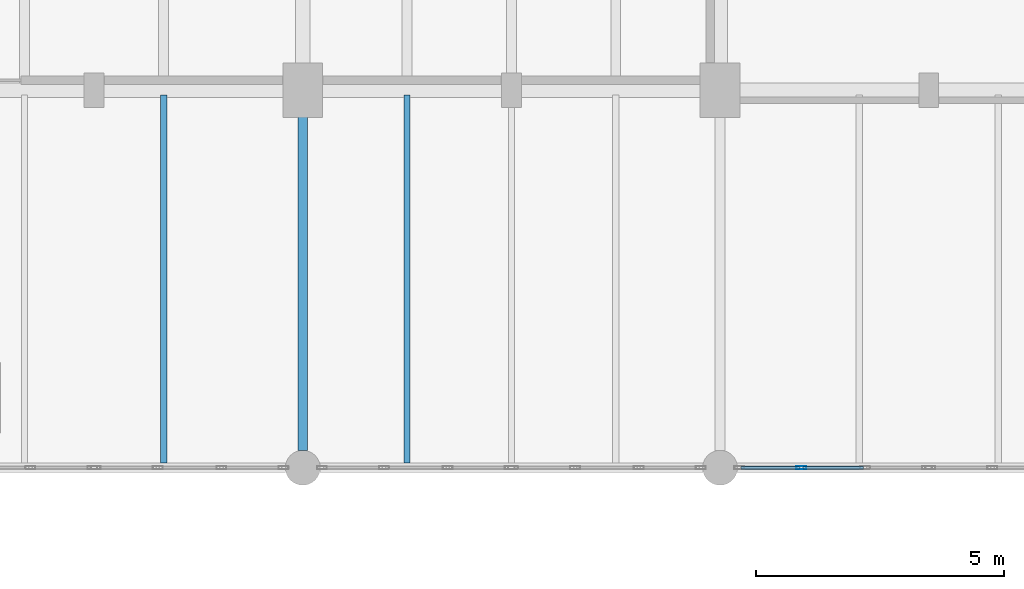
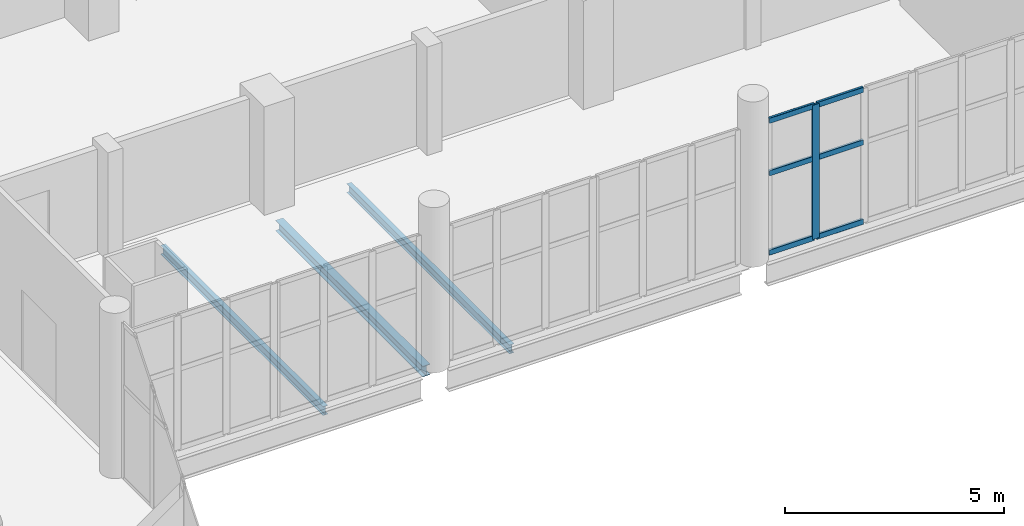
# One storey, part 30 of 74: 7 members, 3 beams, 1 element without a shape of its own.
"""IFC4 building model written with IfcOpenShell, lengths in metres."""

from ifc_helpers import new_model, si_unit, direction, frame, origin, origin_2d, place, context, subcontext, project, spatial, hollow_rectangle, i_section, extrude, material, material_profile, profile_set, type_object, element, aggregate, save


model = new_model("IFC4")

# Units and contexts
model_context = context("Model", 3, precision=1e-05, world=origin(), true_north=direction((0.0, 1.0)))
body_context = subcontext(model_context, "Body", "Model", "MODEL_VIEW")
ifc_project = project(units=[si_unit("LENGTHUNIT", "METRE"), si_unit("AREAUNIT", "SQUARE_METRE"), si_unit("VOLUMEUNIT", "CUBIC_METRE"), si_unit("PLANEANGLEUNIT", "RADIAN"), si_unit("MASSUNIT", "GRAM", prefix="KILO")], contexts=[model_context])

# Site, building, storey
site_placement = place(None, origin())
site = spatial("IfcSite", under=ifc_project, at=site_placement, CompositionType="ELEMENT")
building_placement = place(site_placement, origin())
building = spatial("IfcBuilding", under=site, at=building_placement, Name="Shengluoqiao Park Theatre", CompositionType="ELEMENT")
storey_placement = place(building_placement, frame((0.0, 0.0, 14.60009765625)))
storey = spatial("IfcBuildingStorey", under=building, at=storey_placement, Name="L03", CompositionType="ELEMENT", Elevation=14.60009765625)

# Curtain wall, members
ifc_material_1 = material(Name="Aluminium 6063-T6", Category="aluminium")
curtain_wall_type = type_object("IfcCurtainWallType", Name="ENV-CW-PROM", PredefinedType="NOTDEFINED", material=ifc_material_1)
curtain_wall_placement = place(storey_placement, origin())
curtain_wall = element("IfcCurtainWall", 1, at=curtain_wall_placement, inside=storey, type_object=curtain_wall_type, Name="L03 Curtain Wall CW-L03-0085", PredefinedType="NOTDEFINED")
ifc_material_profile_1 = material_profile(ifc_material_1, hollow_rectangle(XDim=0.06494140625, YDim=0.199951171875, WallThickness=0.0048828125, InnerFilletRadius=0.0048828125, OuterFilletRadius=0.010009765625, at=origin_2d()), Name="ALU MULLION 200x65x5")
ifc_profile_set_1 = profile_set([ifc_material_profile_1], Name="Aluminium 6063-T6")
member_type_1 = type_object("IfcMemberType", Name="ENV-MUL-200", PredefinedType="MULLION", material=ifc_profile_set_1)
member_1_placement = place(storey_placement, frame((62.8359375, 68.39990234375, 0.0), z_axis=(0.0, 0.0, 1.0), x_axis=(0.0, 1.0, 0.0)))
member_1 = element("IfcMember", 2, at=member_1_placement, type_object=member_type_1, Name="CW-04 mullion 2", PredefinedType="MULLION", context=body_context, shape_type="SweptSolid", body=[
    extrude(hollow_rectangle(XDim=0.06494140625, YDim=0.199951171875, WallThickness=0.0048828125, InnerFilletRadius=0.0048828125, OuterFilletRadius=0.010009765625, at=origin_2d()), origin(), (0.0, 0.0, 1.0), 3.73193359375),
])
ifc_material_profile_2 = material_profile(ifc_material_1, hollow_rectangle(XDim=0.06494140625, YDim=0.14990234375, WallThickness=0.00390625, InnerFilletRadius=0.00390625, OuterFilletRadius=0.008056640625, at=origin_2d()), Name="ALU TRANSOM 150x65x4")
ifc_profile_set_2 = profile_set([ifc_material_profile_2], Name="Aluminium 6063-T6")
member_type_2 = type_object("IfcMemberType", Name="ENV-TRN-150", PredefinedType="USERDEFINED", material=ifc_profile_set_2)
member_2_placement = place(storey_placement, frame((61.618896484375, 68.39990234375, 0.032470703125), z_axis=(1.0, 0.0, 0.0), x_axis=(0.0, 1.0, 0.0)))
member_2 = element("IfcMember", 3, at=member_2_placement, type_object=member_type_2, Name="CW-04 transom 1.1", ObjectType="TRANSOM", PredefinedType="USERDEFINED", context=body_context, shape_type="SweptSolid", body=[
    extrude(hollow_rectangle(XDim=0.06494140625, YDim=0.14990234375, WallThickness=0.00390625, InnerFilletRadius=0.00390625, OuterFilletRadius=0.008056640625, at=origin_2d()), origin(), (0.0, 0.0, 1.0), 1.1845703125),
])
member_3_placement = place(storey_placement, frame((61.618896484375, 68.39990234375, 2.239013671875), z_axis=(1.0, 0.0, 0.0), x_axis=(0.0, 1.0, 0.0)))
member_3 = element("IfcMember", 4, at=member_3_placement, type_object=member_type_2, Name="CW-04 transom 1.2", ObjectType="TRANSOM", PredefinedType="USERDEFINED", context=body_context, shape_type="SweptSolid", body=[
    extrude(hollow_rectangle(XDim=0.06494140625, YDim=0.14990234375, WallThickness=0.00390625, InnerFilletRadius=0.00390625, OuterFilletRadius=0.008056640625, at=origin_2d()), origin(), (0.0, 0.0, 1.0), 1.1845703125),
])
member_4_placement = place(storey_placement, frame((61.618896484375, 68.39990234375, 3.699462890625), z_axis=(1.0, 0.0, 0.0), x_axis=(0.0, 1.0, 0.0)))
member_4 = element("IfcMember", 5, at=member_4_placement, type_object=member_type_2, Name="CW-04 transom 1.3", ObjectType="TRANSOM", PredefinedType="USERDEFINED", context=body_context, shape_type="SweptSolid", body=[
    extrude(hollow_rectangle(XDim=0.06494140625, YDim=0.14990234375, WallThickness=0.00390625, InnerFilletRadius=0.00390625, OuterFilletRadius=0.008056640625, at=origin_2d()), origin(), (0.0, 0.0, 1.0), 1.1845703125),
])
member_5_placement = place(storey_placement, frame((62.868408203125, 68.39990234375, 0.032470703125), z_axis=(1.0, 0.0, 0.0), x_axis=(0.0, 1.0, 0.0)))
member_5 = element("IfcMember", 6, at=member_5_placement, type_object=member_type_2, Name="CW-04 transom 2.1", ObjectType="TRANSOM", PredefinedType="USERDEFINED", context=body_context, shape_type="SweptSolid", body=[
    extrude(hollow_rectangle(XDim=0.06494140625, YDim=0.14990234375, WallThickness=0.00390625, InnerFilletRadius=0.00390625, OuterFilletRadius=0.008056640625, at=origin_2d()), origin(), (0.0, 0.0, 1.0), 1.217041015625),
])
member_6_placement = place(storey_placement, frame((62.868408203125, 68.39990234375, 2.239013671875), z_axis=(1.0, 0.0, 0.0), x_axis=(0.0, 1.0, 0.0)))
member_6 = element("IfcMember", 7, at=member_6_placement, type_object=member_type_2, Name="CW-04 transom 2.2", ObjectType="TRANSOM", PredefinedType="USERDEFINED", context=body_context, shape_type="SweptSolid", body=[
    extrude(hollow_rectangle(XDim=0.06494140625, YDim=0.14990234375, WallThickness=0.00390625, InnerFilletRadius=0.00390625, OuterFilletRadius=0.008056640625, at=origin_2d()), origin(), (0.0, 0.0, 1.0), 1.217041015625),
])
member_7_placement = place(storey_placement, frame((62.868408203125, 68.39990234375, 3.699462890625), z_axis=(1.0, 0.0, 0.0), x_axis=(0.0, 1.0, 0.0)))
member_7 = element("IfcMember", 8, at=member_7_placement, type_object=member_type_2, Name="CW-04 transom 2.3", ObjectType="TRANSOM", PredefinedType="USERDEFINED", context=body_context, shape_type="SweptSolid", body=[
    extrude(hollow_rectangle(XDim=0.06494140625, YDim=0.14990234375, WallThickness=0.00390625, InnerFilletRadius=0.00390625, OuterFilletRadius=0.008056640625, at=origin_2d()), origin(), (0.0, 0.0, 1.0), 1.217041015625),
])
aggregate(curtain_wall, [member_1, member_2, member_3, member_4, member_5, member_6, member_7])

# Beams
ifc_material_2 = material(Name="Steel Q355", Category="steel")
ifc_material_profile_3 = material_profile(ifc_material_2, i_section(OverallWidth=0.199951171875, OverallDepth=0.2939453125, WebThickness=0.008056640625, FlangeThickness=0.011962890625, FilletRadius=0.01611328125, at=origin_2d()), Name="HM 294x200x8x12")
ifc_profile_set_3 = profile_set([ifc_material_profile_3], Name="Steel Q355")
beam_type_1 = type_object("IfcBeamType", Name="STR-BM-G-HM294", PredefinedType="BEAM", material=ifc_profile_set_3)
beam_placement = place(storey_placement, frame((52.800048828125, 68.743896484375, -0.38720703125), z_axis=(0.0, 1.0, 0.0), x_axis=(-1.0, 0.0, 0.0)))
element("IfcBeam", 9, at=beam_placement, inside=storey, type_object=beam_type_1, Name="L03 Transverse Girder 01358", PredefinedType="BEAM", context=body_context, shape_type="SweptSolid", body=[
    extrude(i_section(OverallWidth=0.199951171875, OverallDepth=0.2939453125, WebThickness=0.008056640625, FlangeThickness=0.011962890625, FilletRadius=0.01611328125, at=origin_2d()), origin(), (0.0, 0.0, 1.0), 6.712158203125),
])
ifc_material_profile_4 = material_profile(ifc_material_2, i_section(OverallWidth=0.125, OverallDepth=0.25, WebThickness=0.006103515625, FlangeThickness=0.009033203125, FilletRadius=0.010009765625, at=origin_2d()), Name="HN 250x125x6x9")
ifc_profile_set_4 = profile_set([ifc_material_profile_4], Name="Steel Q355")
beam_type_2 = type_object("IfcBeamType", Name="STR-BM-J-HN250", PredefinedType="JOIST", material=ifc_profile_set_4)
for number, where, z_axis, x_axis, name in (
    (10, (50.0, 68.494384765625, -0.364990234375), (0.0, 1.0, 0.0), (-1.0, 0.0, 0.0), "L03 Composite Joist 01363"),
    (11, (54.89990234375, 68.494384765625, -0.364990234375), (0.0, 1.0, 0.0), (-1.0, 0.0, 0.0), "L03 Composite Joist 01364"),
):
    element("IfcBeam", number, at=place(storey_placement, frame(where, z_axis=z_axis, x_axis=x_axis)), inside=storey, type_object=beam_type_2, Name=name, PredefinedType="JOIST", context=body_context, shape_type="SweptSolid", body=[
        extrude(i_section(OverallWidth=0.125, OverallDepth=0.25, WebThickness=0.006103515625, FlangeThickness=0.009033203125, FilletRadius=0.010009765625, at=origin_2d()), origin(), (0.0, 0.0, 1.0), 7.4111328125),
    ])

save(model, "model.ifc")
